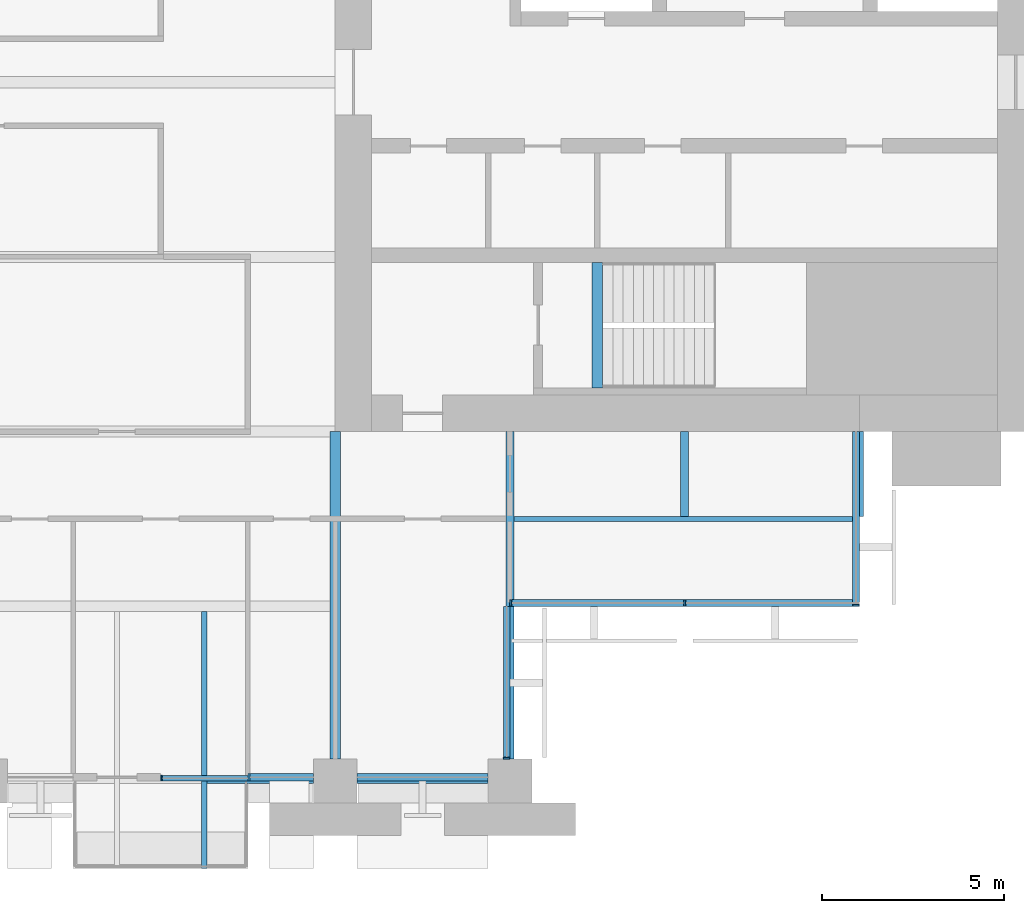
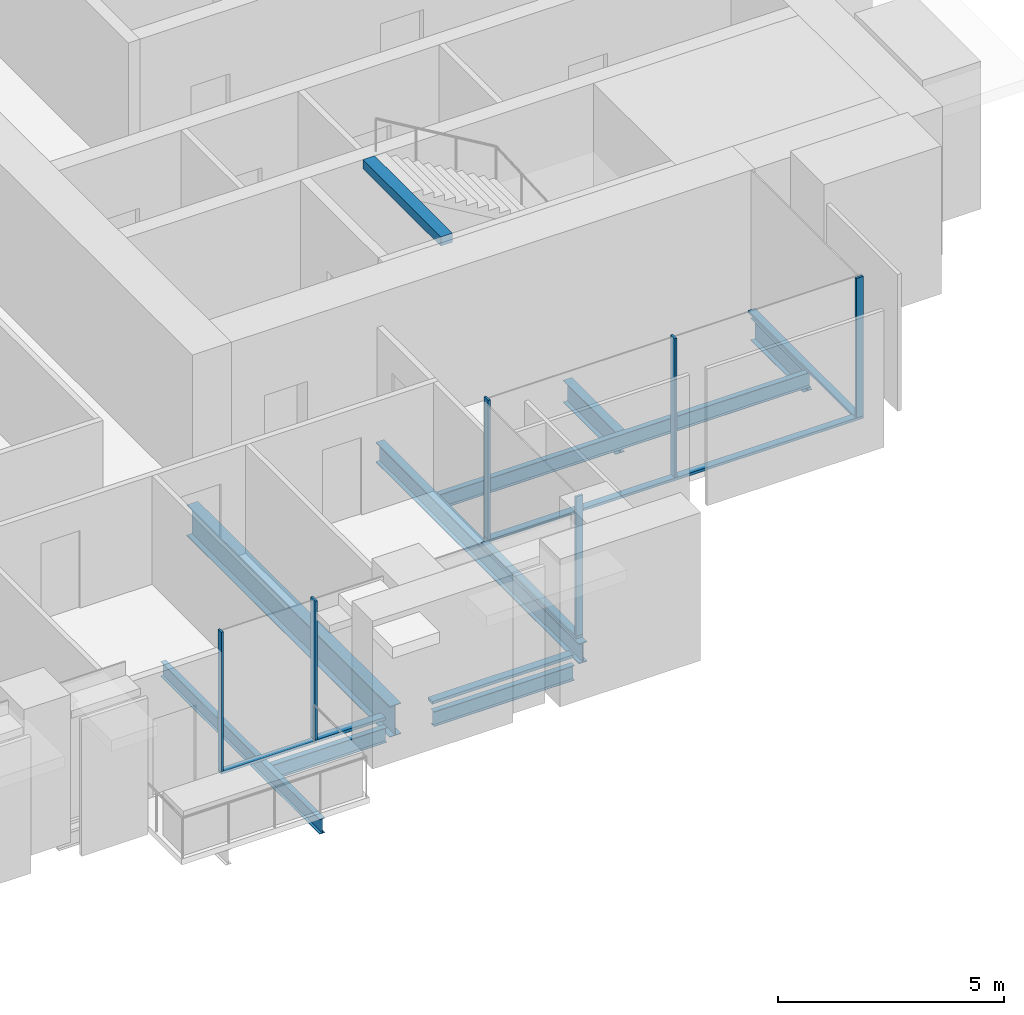
# One storey, part 4 of 15: 12 members, 9 beams, 5 elements without a shape of their own.
"""IFC4 building model written with IfcOpenShell, lengths in metres."""

import ifcopenshell
import ifcopenshell.guid

model = None  # the IFC model being written
_history = None  # IfcOwnerHistory: only IFC2X3 demands one
_inside = {}  # id of a spatial element -> (the spatial element, [elements in it])
_under = {}  # id of a project, library or spatial element -> (it, [spatial elements below it])
_declared = {}  # id of a project -> (the project, [libraries it declares])
_typed = {}  # id of a type object -> (the type object, [elements of that type])
_made_of = {}  # id of a material, layer set ... -> (it, [elements and type objects made of it])


def new_model(schema):
    """Start an empty IFC model of exactly this schema.

    Asked for "IFC4X3", IfcOpenShell would pick the latest addendum, in which some entities
    have other attributes; the version numbers below select the first issue.
    IFC2X3 requires an IfcOwnerHistory on every rooted entity: one is made here for all.
    """
    global model, _history
    if schema == "IFC4X3":
        model = ifcopenshell.file(schema_version=(4, 3, 0, 0))
    else:
        model = ifcopenshell.file(schema=schema)
    _inside.clear()
    _under.clear()
    _declared.clear()
    _typed.clear()
    _made_of.clear()
    _history = None
    if model.schema == "IFC2X3":
        org = make("IfcOrganization", Name="unknown")
        user = make(
            "IfcPersonAndOrganization",
            ThePerson=make("IfcPerson", FamilyName="unknown"),
            TheOrganization=org,
        )
        app = make(
            "IfcApplication",
            ApplicationDeveloper=org,
            Version="unknown",
            ApplicationFullName="unknown",
            ApplicationIdentifier="unknown",
        )
        _history = make(
            "IfcOwnerHistory",
            OwningUser=user,
            OwningApplication=app,
            ChangeAction="ADDED",
            CreationDate=0,
        )
    return model


def make(cls, **values):
    """One entity of the class cls with the attributes given. An attribute that is None is left unset."""
    return model.create_entity(
        cls, **{name: value for name, value in values.items() if value is not None}
    )


def rooted(cls, **values):
    """An entity with a GlobalId (a new one), such as an element, a storey or a relation."""
    return make(cls, GlobalId=ifcopenshell.guid.new(), OwnerHistory=_history, **values)


def si_unit(unit_type, name, prefix=None):
    """IfcSIUnit, for example si_unit("LENGTHUNIT", "METRE", prefix="MILLI")."""
    return make("IfcSIUnit", UnitType=unit_type, Prefix=prefix, Name=name)


def assignment(units):
    """IfcUnitAssignment: the units of a project."""
    return None if units is None else make("IfcUnitAssignment", Units=units)


def point(xyz):
    """IfcCartesianPoint."""
    return None if xyz is None else make("IfcCartesianPoint", Coordinates=xyz)


def direction(xyz):
    """IfcDirection."""
    return None if xyz is None else make("IfcDirection", DirectionRatios=xyz)


def frame(location, z_axis=None, x_axis=None):
    """IfcAxis2Placement3D, a coordinate frame: its origin and axes. An axis left out is left unset."""
    return make(
        "IfcAxis2Placement3D",
        Location=point(location),
        Axis=direction(z_axis),
        RefDirection=direction(x_axis),
    )


def frame_2d(location, x_axis=None):
    """IfcAxis2Placement2D, a coordinate frame in the plane: its origin and x axis."""
    return make(
        "IfcAxis2Placement2D", Location=point(location), RefDirection=direction(x_axis)
    )


def origin():
    """The frame at (0, 0, 0) with its axes left unset."""
    return frame((0.0, 0.0, 0.0))


def origin_2d():
    """The frame at (0, 0) in the plane with its x axis left unset."""
    return frame_2d((0.0, 0.0))


def place(relative_to, where):
    """IfcLocalPlacement: puts the frame where relative to a parent placement (None: the world)."""
    return make(
        "IfcLocalPlacement", PlacementRelTo=relative_to, RelativePlacement=where
    )


def context(
    kind, dimensions, precision=None, world=None, true_north=None, identifier=None
):
    """IfcGeometricRepresentationContext, for example the 3D "Model" context."""
    return make(
        "IfcGeometricRepresentationContext",
        ContextIdentifier=identifier,
        ContextType=kind,
        CoordinateSpaceDimension=dimensions,
        Precision=precision,
        WorldCoordinateSystem=world,
        TrueNorth=true_north,
    )


def subcontext(parent, identifier, kind, view, scale=None):
    """IfcGeometricRepresentationSubContext, for example "Body" below "Model"."""
    return make(
        "IfcGeometricRepresentationSubContext",
        ContextIdentifier=identifier,
        ContextType=kind,
        ParentContext=parent,
        TargetScale=scale,
        TargetView=view,
    )


def project(units=None, contexts=None):
    """IfcProject with its units and contexts."""
    return rooted(
        "IfcProject",
        Name="project",
        RepresentationContexts=contexts,
        UnitsInContext=assignment(units),
    )


def spatial(cls, under=None, at=None, **own):
    """A site, building, storey or space (cls), placed at a placement, below another one or the project."""
    s = rooted(cls, ObjectPlacement=at, **own)
    if under is not None:
        _under.setdefault(under.id(), (under, []))[1].append(s)
    return s


def profile(cls, at=None, kind="AREA", **sizes):
    """A parametric profile (cls). Its sizes go by their IFC names, for example OverallWidth=200.0."""
    return make(cls, ProfileType=kind, Position=at, **sizes)


def rectangle(**sizes):
    """IfcRectangleProfileDef."""
    return profile("IfcRectangleProfileDef", **sizes)


def i_section(**sizes):
    """IfcIShapeProfileDef."""
    return profile("IfcIShapeProfileDef", **sizes)


def extrude(swept, where, along, depth):
    """IfcExtrudedAreaSolid: the profile swept, set in the frame where, extruded along a direction by depth."""
    return make(
        "IfcExtrudedAreaSolid",
        SweptArea=swept,
        Position=where,
        ExtrudedDirection=direction(along),
        Depth=depth,
    )


def shape(context_of_items, identifier, shape_type, items):
    """IfcShapeRepresentation: the items that make up one representation, for example the "Body"."""
    return make(
        "IfcShapeRepresentation",
        ContextOfItems=context_of_items,
        RepresentationIdentifier=identifier,
        RepresentationType=shape_type,
        Items=items,
    )


def material(Name=None, Category=None):
    """IfcMaterial."""
    return make("IfcMaterial", Name=Name, Category=Category)


def material_profile(
    of_material, cross_section, Name=None, Category=None, Priority=None
):
    """IfcMaterialProfile: a cross section and its material."""
    return make(
        "IfcMaterialProfile",
        Name=Name,
        Material=of_material,
        Profile=cross_section,
        Priority=Priority,
        Category=Category,
    )


def profile_set(profiles, Name=None, composite=None):
    """IfcMaterialProfileSet."""
    return make(
        "IfcMaterialProfileSet",
        Name=Name,
        MaterialProfiles=profiles,
        CompositeProfile=composite,
    )


def made_of(thing, what):
    """Note that an element or type object is made of a material, layer set ...; save() writes the relation."""
    if what is not None:
        _made_of.setdefault(what.id(), (what, []))[1].append(thing)
    return thing


def type_object(cls, material=None, **own):
    """A type object (cls), such as IfcWallType, which elements share."""
    return made_of(rooted(cls, **own), material)


def element(
    cls,
    number,
    at=None,
    inside=None,
    cuts=None,
    type_object=None,
    material=None,
    context=None,
    identifier="Body",
    shape_type=None,
    held_by="IfcProductDefinitionShape",
    body=None,
    shapes=None,
    **own,
):
    """One element of the class cls, such as IfcWall. Its Tag is "e" and its number.

    at: its placement. inside: the storey or other place that contains it. cuts: it is an
    opening in that element (IfcRelVoidsElement). A single representation is given by context,
    identifier, shape_type and body (its items); several are given by shapes. held_by: the class
    of the entity that holds the representations. save() writes the other relations.
    """
    e = rooted(cls, Tag="e%d" % number, ObjectPlacement=at, **own)
    if body is not None:
        shapes = [shape(context, identifier, shape_type, body)]
    if shapes is not None:
        e.Representation = make(held_by, Representations=shapes)
    if inside is not None:
        _inside.setdefault(inside.id(), (inside, []))[1].append(e)
    if cuts is not None:
        rooted(
            "IfcRelVoidsElement", RelatingBuildingElement=cuts, RelatedOpeningElement=e
        )
    if type_object is not None:
        _typed.setdefault(type_object.id(), (type_object, []))[1].append(e)
    return made_of(e, material)


def aggregate(whole, parts):
    """IfcRelAggregates: a whole, such as a stair, and the parts it consists of."""
    return rooted("IfcRelAggregates", RelatingObject=whole, RelatedObjects=parts)


def save(model, path):
    """Write the relations noted so far, then the file.

    IfcRelAggregates (storeys below a building ...), IfcRelContainedInSpatialStructure (elements
    in a storey), IfcRelDefinesByType, IfcRelAssociatesMaterial and IfcRelDeclares: one each for
    every whole, place, type object, material and project.
    """
    for whole, parts in _under.values():
        aggregate(whole, parts)
    for where, things in _inside.values():
        rooted(
            "IfcRelContainedInSpatialStructure",
            RelatedElements=things,
            RelatingStructure=where,
        )
    for kind, things in _typed.values():
        rooted("IfcRelDefinesByType", RelatedObjects=things, RelatingType=kind)
    for what, things in _made_of.values():
        rooted("IfcRelAssociatesMaterial", RelatedObjects=things, RelatingMaterial=what)
    for by, libraries in _declared.values():
        rooted("IfcRelDeclares", RelatingContext=by, RelatedDefinitions=libraries)
    model.write(path)


model = new_model("IFC4")

# Units and contexts
model_context = context("Model", 3, precision=1e-05, world=origin(), true_north=direction((0.0, 1.0)))
body_context = subcontext(model_context, "Body", "Model", "MODEL_VIEW")
ifc_project = project(units=[si_unit("LENGTHUNIT", "METRE"), si_unit("AREAUNIT", "SQUARE_METRE"), si_unit("VOLUMEUNIT", "CUBIC_METRE"), si_unit("PLANEANGLEUNIT", "RADIAN"), si_unit("MASSUNIT", "GRAM", prefix="KILO")], contexts=[model_context])

# Site, building, storey
site_placement = place(None, origin())
site = spatial("IfcSite", under=ifc_project, at=site_placement, CompositionType="ELEMENT")
building_placement = place(site_placement, origin())
building = spatial("IfcBuilding", under=site, at=building_placement, Name="Baori Bourse Tower", CompositionType="ELEMENT")
storey_placement = place(building_placement, frame((0.0, 0.0, 116.10009765625)))
storey = spatial("IfcBuildingStorey", under=building, at=storey_placement, Name="L24", CompositionType="ELEMENT", Elevation=116.10009765625)

# Beam
ifc_material_1 = material(Name="Steel A992 Gr 50", Category="steel")
ifc_material_profile_1 = material_profile(ifc_material_1, i_section(OverallWidth=0.140380859375, OverallDepth=0.40380859375, WebThickness=0.007080078125, FlangeThickness=0.01123046875, at=origin_2d()), Name="W16x31")
ifc_profile_set_1 = profile_set([ifc_material_profile_1], Name="Steel A992 Gr 50")
beam_type_1 = type_object("IfcBeamType", Name="Balcony beam W16x31", PredefinedType="BEAM", material=ifc_profile_set_1)
beam_1_placement = place(storey_placement, frame((34.800048828125, -2.39990234375, -0.362060546875), z_axis=(0.0, 1.0, 0.0), x_axis=(-1.0, 0.0, 0.0)))
element("IfcBeam", 1, at=beam_1_placement, inside=storey, type_object=beam_type_1, Name="Balcony beam L24", PredefinedType="BEAM", context=body_context, shape_type="SweptSolid", body=[
    extrude(i_section(OverallWidth=0.140380859375, OverallDepth=0.40380859375, WebThickness=0.007080078125, FlangeThickness=0.01123046875, at=origin_2d()), origin(), (0.0, 0.0, 1.0), 7.050048828125),
])

# Curtain wall, members
ifc_material_2 = material(Name="Pale anodised aluminium", Category="aluminium")
curtain_wall_type_1 = type_object("IfcCurtainWallType", Name="CW1 Curtain wall", PredefinedType="NOTDEFINED", material=ifc_material_2)
curtain_wall_1_placement = place(storey_placement, origin())
curtain_wall_1 = element("IfcCurtainWall", 2, at=curtain_wall_1_placement, inside=storey, type_object=curtain_wall_type_1, Name="Curtain wall CW1 L24 15", PredefinedType="NOTDEFINED")
ifc_material_3 = material(Name="Pale anodised aluminium", Category="aluminium")
ifc_material_profile_2 = material_profile(ifc_material_3, rectangle(XDim=0.199951171875, YDim=0.06005859375, at=origin_2d()), Name="Mullion 60x200")
ifc_profile_set_2 = profile_set([ifc_material_profile_2], Name="Pale anodised aluminium")
member_type_1 = type_object("IfcMemberType", Name="CW1 Curtain wall mullion", PredefinedType="MULLION", material=ifc_profile_set_2)
member_1_placement = place(storey_placement, frame((36.030029296875, 0.10009765625, 0.079833984375), z_axis=(0.0, 0.0, 1.0), x_axis=(0.0, 1.0, 0.0)))
member_1 = element("IfcMember", 3, at=member_1_placement, type_object=member_type_1, Name="Curtain wall CW1 mullion", PredefinedType="MULLION", context=body_context, shape_type="SweptSolid", body=[
    extrude(rectangle(XDim=0.199951171875, YDim=0.06005859375, at=origin_2d()), origin(), (0.0, 0.0, 1.0), 3.760009765625),
])
ifc_material_4 = material(Name="Pale anodised aluminium", Category="aluminium")
ifc_material_profile_3 = material_profile(ifc_material_4, rectangle(XDim=0.199951171875, YDim=0.080078125, at=origin_2d()), Name="Transom 80x200")
ifc_profile_set_3 = profile_set([ifc_material_profile_3], Name="Pale anodised aluminium")
member_type_2 = type_object("IfcMemberType", Name="CW1 Curtain wall transom", PredefinedType="USERDEFINED", material=ifc_profile_set_3)
member_2_placement = place(storey_placement, frame((36.0, 0.10009765625, 0.039794921875), z_axis=(1.0, 0.0, 0.0), x_axis=(0.0, 1.0, 0.0)))
member_2 = element("IfcMember", 4, at=member_2_placement, type_object=member_type_2, Name="Curtain wall CW1 sill rail", ObjectType="TRANSOM", PredefinedType="USERDEFINED", context=body_context, shape_type="SweptSolid", body=[
    extrude(rectangle(XDim=0.199951171875, YDim=0.080078125, at=origin_2d()), origin(), (0.0, 0.0, 1.0), 1.800048828125),
])
member_3_placement = place(storey_placement, frame((39.0, 0.10009765625, 0.039794921875), z_axis=(1.0, 0.0, 0.0), x_axis=(0.0, 1.0, 0.0)))
member_3 = element("IfcMember", 5, at=member_3_placement, type_object=member_type_2, Name="Curtain wall CW1 sill rail", ObjectType="TRANSOM", PredefinedType="USERDEFINED", context=body_context, shape_type="SweptSolid", body=[
    extrude(rectangle(XDim=0.199951171875, YDim=0.080078125, at=origin_2d()), origin(), (0.0, 0.0, 1.0), 3.60009765625),
])
aggregate(curtain_wall_1, [member_2, member_1, member_3])

# Curtain wall, member
ifc_material_5 = material(Name="Pale anodised aluminium", Category="aluminium")
curtain_wall_type_2 = type_object("IfcCurtainWallType", Name="CW2 Curtain wall", PredefinedType="NOTDEFINED", material=ifc_material_5)
curtain_wall_2_placement = place(storey_placement, origin())
curtain_wall_2 = element("IfcCurtainWall", 6, at=curtain_wall_2_placement, inside=storey, type_object=curtain_wall_type_2, Name="Curtain wall CW2 L24 16", PredefinedType="NOTDEFINED")
ifc_material_6 = material(Name="Pale anodised aluminium", Category="aluminium")
ifc_material_profile_4 = material_profile(ifc_material_6, rectangle(XDim=0.179931640625, YDim=0.054931640625, at=origin_2d()), Name="Mullion 55x180")
ifc_profile_set_4 = profile_set([ifc_material_profile_4], Name="Pale anodised aluminium")
member_type_3 = type_object("IfcMemberType", Name="CW2 Curtain wall mullion", PredefinedType="MULLION", material=ifc_profile_set_4)
member_4_placement = place(storey_placement, frame((43.110107421875, 0.62744140625, 0.06982421875), z_axis=(0.0, 0.0, 1.0), x_axis=(-1.0, 0.0, 0.0)))
member_4 = element("IfcMember", 7, at=member_4_placement, type_object=member_type_3, Name="Curtain wall CW2 mullion", PredefinedType="MULLION", context=body_context, shape_type="SweptSolid", body=[
    extrude(rectangle(XDim=0.179931640625, YDim=0.054931640625, at=origin_2d()), origin(), (0.0, 0.0, 1.0), 3.77001953125),
])

# Curtain wall, members
curtain_wall_3_placement = place(storey_placement, origin())
curtain_wall_3 = element("IfcCurtainWall", 8, at=curtain_wall_3_placement, inside=storey, type_object=curtain_wall_type_2, Name="Curtain wall CW2 L24 17", PredefinedType="NOTDEFINED")
member_5_placement = place(storey_placement, frame((43.2275390625, 4.889892578125, 0.06982421875), z_axis=(0.0, 0.0, 1.0), x_axis=(0.0, 1.0, 0.0)))
member_5 = element("IfcMember", 9, at=member_5_placement, type_object=member_type_3, Name="Curtain wall CW2 mullion", PredefinedType="MULLION", context=body_context, shape_type="SweptSolid", body=[
    extrude(rectangle(XDim=0.179931640625, YDim=0.054931640625, at=origin_2d()), origin(), (0.0, 0.0, 1.0), 3.77001953125),
])
member_6_placement = place(storey_placement, frame((48.0, 4.889892578125, 0.06982421875), z_axis=(0.0, 0.0, 1.0), x_axis=(0.0, 1.0, 0.0)))
member_6 = element("IfcMember", 10, at=member_6_placement, type_object=member_type_3, Name="Curtain wall CW2 mullion", PredefinedType="MULLION", context=body_context, shape_type="SweptSolid", body=[
    extrude(rectangle(XDim=0.179931640625, YDim=0.054931640625, at=origin_2d()), origin(), (0.0, 0.0, 1.0), 3.77001953125),
])

# Curtain wall, member
curtain_wall_4_placement = place(storey_placement, origin())
curtain_wall_4 = element("IfcCurtainWall", 11, at=curtain_wall_4_placement, inside=storey, type_object=curtain_wall_type_2, Name="Curtain wall CW2 L24 18", PredefinedType="NOTDEFINED")
member_7_placement = place(storey_placement, frame((52.7099609375, 4.827392578125, 0.06982421875), z_axis=(0.0, 0.0, 1.0), x_axis=(-1.0, 0.0, 0.0)))
member_7 = element("IfcMember", 12, at=member_7_placement, type_object=member_type_3, Name="Curtain wall CW2 mullion", PredefinedType="MULLION", context=body_context, shape_type="SweptSolid", body=[
    extrude(rectangle(XDim=0.179931640625, YDim=0.054931640625, at=origin_2d()), origin(), (0.0, 0.0, 1.0), 3.77001953125),
])

# Member
ifc_material_7 = material(Name="Pale anodised aluminium", Category="aluminium")
ifc_material_profile_5 = material_profile(ifc_material_7, rectangle(XDim=0.179931640625, YDim=0.070068359375, at=origin_2d()), Name="Transom 70x180")
ifc_profile_set_5 = profile_set([ifc_material_profile_5], Name="Pale anodised aluminium")
member_type_4 = type_object("IfcMemberType", Name="CW2 Curtain wall transom", PredefinedType="USERDEFINED", material=ifc_profile_set_5)
member_8_placement = place(storey_placement, frame((43.110107421875, 0.60009765625, 0.034912109375), z_axis=(0.0, 1.0, 0.0), x_axis=(-1.0, 0.0, 0.0)))
member_8 = element("IfcMember", 13, at=member_8_placement, type_object=member_type_4, Name="Curtain wall CW2 sill rail", ObjectType="TRANSOM", PredefinedType="USERDEFINED", context=body_context, shape_type="SweptSolid", body=[
    extrude(rectangle(XDim=0.179931640625, YDim=0.070068359375, at=origin_2d()), origin(), (0.0, 0.0, 1.0), 4.199951171875),
])

aggregate(curtain_wall_2, [member_8, member_4])

member_9_placement = place(storey_placement, frame((43.199951171875, 4.889892578125, 0.034912109375), z_axis=(1.0, 0.0, 0.0), x_axis=(0.0, 1.0, 0.0)))
member_9 = element("IfcMember", 14, at=member_9_placement, type_object=member_type_4, Name="Curtain wall CW2 sill rail", ObjectType="TRANSOM", PredefinedType="USERDEFINED", context=body_context, shape_type="SweptSolid", body=[
    extrude(rectangle(XDim=0.179931640625, YDim=0.070068359375, at=origin_2d()), origin(), (0.0, 0.0, 1.0), 9.60009765625),
])

aggregate(curtain_wall_3, [member_9, member_5, member_6])

member_10_placement = place(storey_placement, frame((52.7099609375, 4.800048828125, 0.034912109375), z_axis=(0.0, 1.0, 0.0), x_axis=(-1.0, 0.0, 0.0)))
member_10 = element("IfcMember", 15, at=member_10_placement, type_object=member_type_4, Name="Curtain wall CW2 sill rail", ObjectType="TRANSOM", PredefinedType="USERDEFINED", context=body_context, shape_type="SweptSolid", body=[
    extrude(rectangle(XDim=0.179931640625, YDim=0.070068359375, at=origin_2d()), origin(), (0.0, 0.0, 1.0), 4.800048828125),
])

aggregate(curtain_wall_4, [member_10, member_7])

# Curtain wall, members
ifc_material_8 = material(Name="Pale anodised aluminium", Category="aluminium")
curtain_wall_type_3 = type_object("IfcCurtainWallType", Name="CW6 Curtain wall", PredefinedType="NOTDEFINED", material=ifc_material_8)
curtain_wall_5_placement = place(storey_placement, origin())
curtain_wall_5 = element("IfcCurtainWall", 16, at=curtain_wall_5_placement, inside=storey, type_object=curtain_wall_type_3, Name="Curtain wall CW6 L24 14", PredefinedType="NOTDEFINED")
ifc_material_9 = material(Name="Pale anodised aluminium", Category="aluminium")
ifc_material_profile_6 = material_profile(ifc_material_9, rectangle(XDim=0.14990234375, YDim=0.050048828125, at=origin_2d()), Name="Mullion 50x150")
ifc_profile_set_6 = profile_set([ifc_material_profile_6], Name="Pale anodised aluminium")
member_type_5 = type_object("IfcMemberType", Name="CW6 Curtain wall mullion", PredefinedType="MULLION", material=ifc_profile_set_6)
member_11_placement = place(storey_placement, frame((33.625, 0.074951171875, 0.06494140625), z_axis=(0.0, 0.0, 1.0), x_axis=(0.0, 1.0, 0.0)))
member_11 = element("IfcMember", 17, at=member_11_placement, type_object=member_type_5, Name="Curtain wall CW6 mullion", PredefinedType="MULLION", context=body_context, shape_type="SweptSolid", body=[
    extrude(rectangle(XDim=0.14990234375, YDim=0.050048828125, at=origin_2d()), origin(), (0.0, 0.0, 1.0), 3.77490234375),
])
ifc_material_10 = material(Name="Pale anodised aluminium", Category="aluminium")
ifc_material_profile_7 = material_profile(ifc_material_10, rectangle(XDim=0.14990234375, YDim=0.06494140625, at=origin_2d()), Name="Transom 65x150")
ifc_profile_set_7 = profile_set([ifc_material_profile_7], Name="Pale anodised aluminium")
member_type_6 = type_object("IfcMemberType", Name="CW6 Curtain wall transom", PredefinedType="USERDEFINED", material=ifc_profile_set_7)
member_12_placement = place(storey_placement, frame((33.60009765625, 0.074951171875, 0.032470703125), z_axis=(1.0, 0.0, 0.0), x_axis=(0.0, 1.0, 0.0)))
member_12 = element("IfcMember", 18, at=member_12_placement, type_object=member_type_6, Name="Curtain wall CW6 sill rail", ObjectType="TRANSOM", PredefinedType="USERDEFINED", context=body_context, shape_type="SweptSolid", body=[
    extrude(rectangle(XDim=0.14990234375, YDim=0.06494140625, at=origin_2d()), origin(), (0.0, 0.0, 1.0), 2.39990234375),
])
aggregate(curtain_wall_5, [member_12, member_11])

# Beams
ifc_material_11 = material(Name="Steel A992 Gr 50", Category="steel")
ifc_material_profile_8 = material_profile(ifc_material_11, i_section(OverallWidth=0.227783203125, OverallDepth=0.60205078125, WebThickness=0.010498046875, FlangeThickness=0.014892578125, at=origin_2d()), Name="W24x68")
ifc_profile_set_8 = profile_set([ifc_material_profile_8], Name="Steel A992 Gr 50")
beam_type_2 = type_object("IfcBeamType", Name="Core bracket W24x68", PredefinedType="BEAM", material=ifc_profile_set_8)
for number, where, z_axis, x_axis, name in (
    (19, (48.0, 7.270263671875, -0.461181640625), (0.0, 1.0, 0.0), (-1.0, 0.0, 0.0), "Core bracket L24"),
    (20, (52.800048828125, 7.270263671875, -0.461181640625), (0.0, 1.0, 0.0), (-1.0, 0.0, 0.0), "Core bracket L24"),
):
    element("IfcBeam", number, at=place(storey_placement, frame(where, z_axis=z_axis, x_axis=x_axis)), inside=storey, type_object=beam_type_2, Name=name, PredefinedType="BEAM", context=body_context, shape_type="SweptSolid", body=[
        extrude(i_section(OverallWidth=0.227783203125, OverallDepth=0.60205078125, WebThickness=0.010498046875, FlangeThickness=0.014892578125, at=origin_2d()), origin(), (0.0, 0.0, 1.0), 2.329833984375),
    ])
ifc_material_12 = material(Name="Steel A992 Gr 50", Category="steel")
ifc_material_profile_9 = material_profile(ifc_material_12, i_section(OverallWidth=0.140380859375, OverallDepth=0.40380859375, WebThickness=0.007080078125, FlangeThickness=0.01123046875, at=origin_2d()), Name="W16x31")
ifc_profile_set_9 = profile_set([ifc_material_profile_9], Name="Steel A992 Gr 50")
beam_type_3 = type_object("IfcBeamType", Name="Edge beam W16x31", PredefinedType="BEAM", material=ifc_profile_set_9)
beam_2_placement = place(storey_placement, frame((34.8701171875, 0.0, -0.362060546875), z_axis=(1.0, 0.0, 0.0), x_axis=(0.0, 1.0, 0.0)))
element("IfcBeam", 21, at=beam_2_placement, inside=storey, type_object=beam_type_3, Name="Edge beam L24", PredefinedType="BEAM", context=body_context, shape_type="SweptSolid", body=[
    extrude(i_section(OverallWidth=0.140380859375, OverallDepth=0.40380859375, WebThickness=0.007080078125, FlangeThickness=0.01123046875, at=origin_2d()), origin(), (0.0, 0.0, 1.0), 2.929931640625),
])
beam_3_placement = place(storey_placement, frame((39.0, 0.0, -0.362060546875), z_axis=(1.0, 0.0, 0.0), x_axis=(0.0, 1.0, 0.0)))
element("IfcBeam", 22, at=beam_3_placement, inside=storey, type_object=beam_type_3, Name="Edge beam L24", PredefinedType="BEAM", context=body_context, shape_type="SweptSolid", body=[
    extrude(i_section(OverallWidth=0.140380859375, OverallDepth=0.40380859375, WebThickness=0.007080078125, FlangeThickness=0.01123046875, at=origin_2d()), origin(), (0.0, 0.0, 1.0), 3.60009765625),
])
ifc_material_13 = material(Name="Steel A992 Gr 50", Category="steel")
ifc_material_profile_10 = material_profile(ifc_material_13, i_section(OverallWidth=0.21240234375, OverallDepth=0.54345703125, WebThickness=0.01318359375, FlangeThickness=0.021240234375, at=origin_2d()), Name="W21x83")
ifc_profile_set_10 = profile_set([ifc_material_profile_10], Name="Steel A992 Gr 50")
beam_type_4 = type_object("IfcBeamType", Name="Floor beam W21x83", PredefinedType="BEAM", material=ifc_profile_set_10)
beam_4_placement = place(storey_placement, frame((43.199951171875, 0.60009765625, -0.431884765625), z_axis=(0.0, 1.0, 0.0), x_axis=(-1.0, 0.0, 0.0)))
element("IfcBeam", 23, at=beam_4_placement, inside=storey, type_object=beam_type_4, Name="Floor beam L24", PredefinedType="BEAM", context=body_context, shape_type="SweptSolid", body=[
    extrude(i_section(OverallWidth=0.21240234375, OverallDepth=0.54345703125, WebThickness=0.01318359375, FlangeThickness=0.021240234375, at=origin_2d()), origin(), (0.0, 0.0, 1.0), 9.0),
])
ifc_material_14 = material(Name="Steel A992 Gr 50", Category="steel")
ifc_material_profile_11 = material_profile(ifc_material_14, i_section(OverallWidth=0.2919921875, OverallDepth=0.835693359375, WebThickness=0.013916015625, FlangeThickness=0.018798828125, at=origin_2d()), Name="W33x118")
ifc_profile_set_11 = profile_set([ifc_material_profile_11], Name="Steel A992 Gr 50")
beam_type_5 = type_object("IfcBeamType", Name="Girder W33x118", PredefinedType="BEAM", material=ifc_profile_set_11)
beam_5_placement = place(storey_placement, frame((38.39990234375, 0.60009765625, -0.577880859375), z_axis=(0.0, 1.0, 0.0), x_axis=(-1.0, 0.0, 0.0)))
element("IfcBeam", 24, at=beam_5_placement, inside=storey, type_object=beam_type_5, Name="Girder L24", PredefinedType="BEAM", context=body_context, shape_type="SweptSolid", body=[
    extrude(i_section(OverallWidth=0.2919921875, OverallDepth=0.835693359375, WebThickness=0.013916015625, FlangeThickness=0.018798828125, at=origin_2d()), origin(), (0.0, 0.0, 1.0), 9.0),
])
ifc_material_15 = material(Name="Concrete f'c 50 MPa", Category="concrete")
ifc_material_profile_12 = material_profile(ifc_material_15, rectangle(XDim=0.300048828125, YDim=0.25, at=origin_2d()), Name="RC 300x250")
ifc_profile_set_12 = profile_set([ifc_material_profile_12], Name="Concrete f'c 50 MPa")
beam_type_6 = type_object("IfcBeamType", Name="Stair nib beam RC 300x250", PredefinedType="BEAM", material=ifc_profile_set_12)
beam_6_placement = place(storey_placement, frame((45.60009765625, 10.800048828125, 3.71484375), z_axis=(0.0, 1.0, 0.0), x_axis=(-1.0, 0.0, 0.0)))
element("IfcBeam", 25, at=beam_6_placement, inside=storey, type_object=beam_type_6, Name="Stair EA nib beam L25", PredefinedType="BEAM", context=body_context, shape_type="SweptSolid", body=[
    extrude(rectangle(XDim=0.300048828125, YDim=0.25, at=origin_2d()), origin(), (0.0, 0.0, 1.0), 3.449951171875),
])
ifc_material_16 = material(Name="Steel A992 Gr 50", Category="steel")
ifc_material_profile_13 = material_profile(ifc_material_16, i_section(OverallWidth=0.140380859375, OverallDepth=0.40380859375, WebThickness=0.007080078125, FlangeThickness=0.01123046875, at=origin_2d()), Name="W16x31")
ifc_profile_set_13 = profile_set([ifc_material_profile_13], Name="Steel A992 Gr 50")
beam_type_7 = type_object("IfcBeamType", Name="Trimmer beam W16x31", PredefinedType="BEAM", material=ifc_profile_set_13)
beam_7_placement = place(storey_placement, frame((43.30615234375, 7.199951171875, -0.362060546875), z_axis=(1.0, 0.0, 0.0), x_axis=(0.0, 1.0, 0.0)))
element("IfcBeam", 26, at=beam_7_placement, inside=storey, type_object=beam_type_7, Name="Trimmer beam L24", PredefinedType="BEAM", context=body_context, shape_type="SweptSolid", body=[
    extrude(i_section(OverallWidth=0.140380859375, OverallDepth=0.40380859375, WebThickness=0.007080078125, FlangeThickness=0.01123046875, at=origin_2d()), origin(), (0.0, 0.0, 1.0), 9.493896484375),
])

save(model, "model.ifc")
